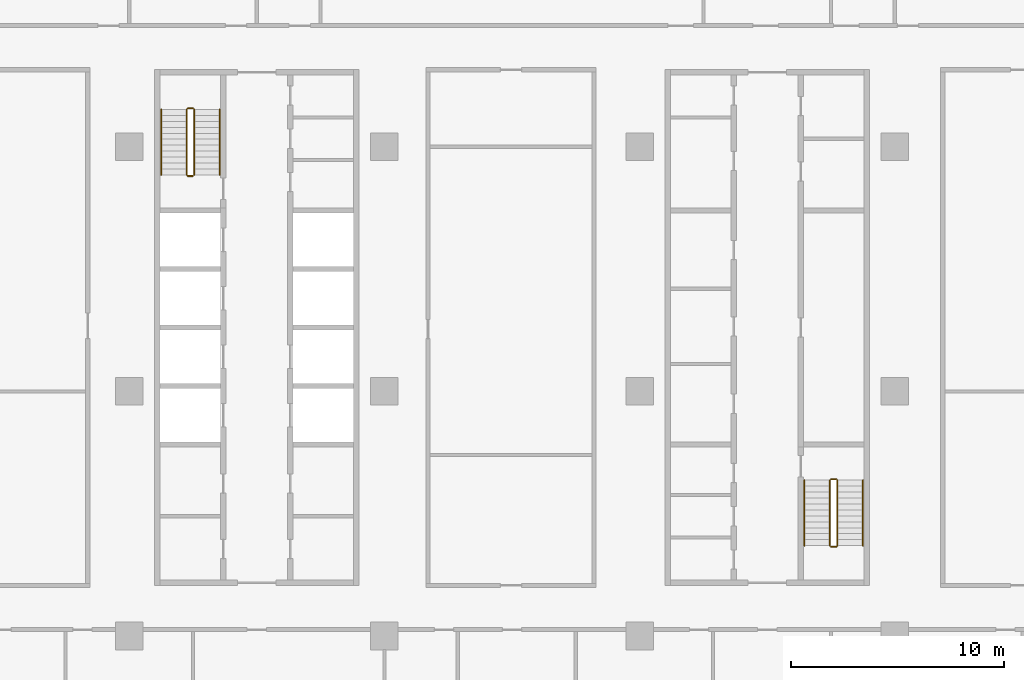
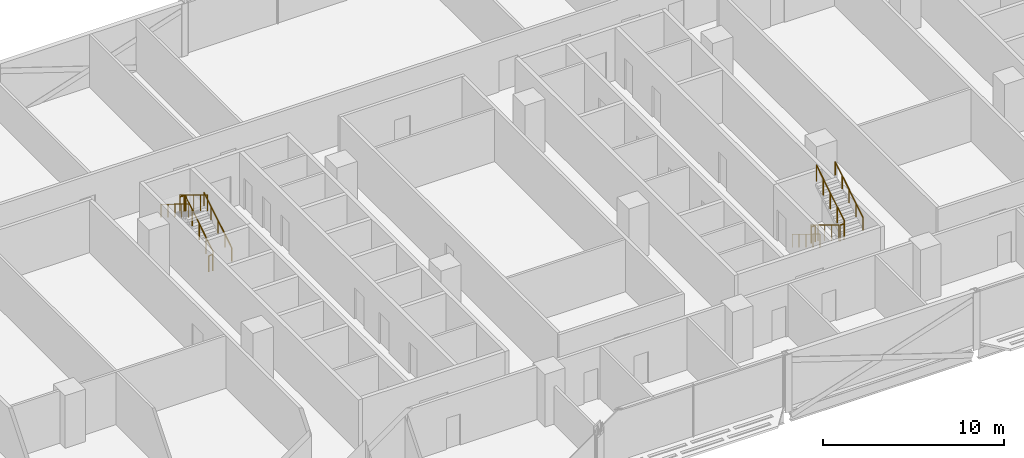
# One storey, part 26 of 29: 12 railings.
"""IFC4 building model written with IfcOpenShell, lengths in metres."""

from ifc_helpers import new_model, si_unit, direction, frame, origin, origin_2d, place, context, subcontext, project, spatial, circle, extrude, material, type_object, element, save


model = new_model("IFC4")

# Units and contexts
model_context = context("Model", 3, precision=1e-05, world=origin(), true_north=direction((0.0, 1.0)))
body_context = subcontext(model_context, "Body", "Model", "MODEL_VIEW")
ifc_project = project(units=[si_unit("LENGTHUNIT", "METRE"), si_unit("AREAUNIT", "SQUARE_METRE"), si_unit("VOLUMEUNIT", "CUBIC_METRE"), si_unit("PLANEANGLEUNIT", "RADIAN"), si_unit("MASSUNIT", "GRAM", prefix="KILO")], contexts=[model_context])

# Site, building, storey
site_placement = place(None, origin())
site = spatial("IfcSite", under=ifc_project, at=site_placement, CompositionType="ELEMENT")
building_placement = place(site_placement, origin())
building = spatial("IfcBuilding", under=site, at=building_placement, Name="Mahtab Terrace Research Tower", CompositionType="ELEMENT")
storey_placement = place(building_placement, frame((0.0, 0.0, 150.699951171875)))
storey = spatial("IfcBuildingStorey", under=building, at=storey_placement, Name="L35", CompositionType="ELEMENT", Elevation=150.699951171875)

# Railings
ifc_material = material(Name="Stainless steel AISI 304", Category="steel")
railing_type_1 = type_object("IfcRailingType", Name="Stair guard 1100", PredefinedType="GUARDRAIL", material=ifc_material)
railing_1_placement = place(storey_placement, frame((-26.949951171875, 10.175048828125, 0.1708984375)))
element("IfcRailing", 1, at=railing_1_placement, inside=storey, type_object=railing_type_1, Name="L35 ST1 stair guard 1", PredefinedType="GUARDRAIL", context=body_context, shape_type="SweptSolid", body=[
    extrude(circle(Radius=0.02392578125, at=origin_2d()), frame((0.0, 0.0, 1.076171875), z_axis=(0.0, 0.853647949592, 0.520850437417), x_axis=(-1.0, 0.0, 0.0)), (0.0, 0.0, 1.0), 3.60791015625),
    extrude(circle(Radius=0.02099609375, at=origin_2d()), origin(), (0.0, 0.0, 1.0), 1.052001953125),
    extrude(circle(Radius=0.02099609375, at=origin_2d()), frame((0.0, 0.77001953125, 0.4697265625)), (0.0, 0.0, 1.0), 1.052001953125),
    extrude(circle(Radius=0.02099609375, at=origin_2d()), frame((0.0, 1.5400390625, 0.939453125)), (0.0, 0.0, 1.0), 1.052001953125),
    extrude(circle(Radius=0.02099609375, at=origin_2d()), frame((0.0, 2.309814453125, 1.409423828125)), (0.0, 0.0, 1.0), 1.052001953125),
    extrude(circle(Radius=0.02099609375, at=origin_2d()), frame((0.0, 3.079833984375, 1.879150390625)), (0.0, 0.0, 1.0), 1.052001953125),
])
railing_2_placement = place(storey_placement, frame((-27.0, 13.304931640625, 2.050048828125)))
element("IfcRailing", 2, at=railing_2_placement, inside=storey, type_object=railing_type_1, Name="L35 ST1 stair guard 2", PredefinedType="GUARDRAIL", context=body_context, shape_type="SweptSolid", body=[
    extrude(circle(Radius=0.02392578125, at=origin_2d()), frame((0.0, 0.0, 1.076171875), z_axis=(-1.0, 0.0, 0.0), x_axis=(0.0, -1.0, 0.0)), (0.0, 0.0, 1.0), 0.25),
    extrude(circle(Radius=0.02099609375, at=origin_2d()), origin(), (0.0, 0.0, 1.0), 1.052001953125),
    extrude(circle(Radius=0.02099609375, at=origin_2d()), frame((-0.25, 0.0, 0.0)), (0.0, 0.0, 1.0), 1.052001953125),
])
railing_3_placement = place(storey_placement, frame((-27.300048828125, 13.2548828125, 2.220947265625)))
element("IfcRailing", 3, at=railing_3_placement, inside=storey, type_object=railing_type_1, Name="L35 ST1 stair guard 3", PredefinedType="GUARDRAIL", context=body_context, shape_type="SweptSolid", body=[
    extrude(circle(Radius=0.02392578125, at=origin_2d()), frame((0.0, 0.0, 1.076171875), z_axis=(0.0, -0.853647949592, 0.520850437417), x_axis=(1.0, 0.0, 0.0)), (0.0, 0.0, 1.0), 3.60791015625),
    extrude(circle(Radius=0.02099609375, at=origin_2d()), origin(), (0.0, 0.0, 1.0), 1.052001953125),
    extrude(circle(Radius=0.02099609375, at=origin_2d()), frame((0.0, -0.77001953125, 0.4697265625)), (0.0, 0.0, 1.0), 1.052001953125),
    extrude(circle(Radius=0.02099609375, at=origin_2d()), frame((0.0, -1.5400390625, 0.939453125)), (0.0, 0.0, 1.0), 1.052001953125),
    extrude(circle(Radius=0.02099609375, at=origin_2d()), frame((0.0, -2.309814453125, 1.409423828125)), (0.0, 0.0, 1.0), 1.052001953125),
    extrude(circle(Radius=0.02099609375, at=origin_2d()), frame((0.0, -3.079833984375, 1.879150390625)), (0.0, 0.0, 1.0), 1.052001953125),
])
railing_4_placement = place(storey_placement, frame((-27.0, 10.125, 0.0)))
element("IfcRailing", 4, at=railing_4_placement, inside=storey, type_object=railing_type_1, Name="L35 ST1 stair guard 4", PredefinedType="GUARDRAIL", context=body_context, shape_type="SweptSolid", body=[
    extrude(circle(Radius=0.02392578125, at=origin_2d()), frame((0.0, 0.0, 1.076171875), z_axis=(-1.0, 0.0, 0.0), x_axis=(0.0, -1.0, 0.0)), (0.0, 0.0, 1.0), 0.25),
    extrude(circle(Radius=0.02099609375, at=origin_2d()), origin(), (0.0, 0.0, 1.0), 1.052001953125),
    extrude(circle(Radius=0.02099609375, at=origin_2d()), frame((-0.25, 0.0, 0.0)), (0.0, 0.0, 1.0), 1.052001953125),
])
railing_5_placement = place(storey_placement, frame((2.949951171875, -4.175048828125, 0.1708984375)))
element("IfcRailing", 5, at=railing_5_placement, inside=storey, type_object=railing_type_1, Name="L35 ST2 stair guard 1", PredefinedType="GUARDRAIL", context=body_context, shape_type="SweptSolid", body=[
    extrude(circle(Radius=0.02392578125, at=origin_2d()), frame((0.0, 0.0, 1.076171875), z_axis=(0.0, -0.853647949592, 0.520850437417), x_axis=(1.0, 0.0, 0.0)), (0.0, 0.0, 1.0), 3.60791015625),
    extrude(circle(Radius=0.02099609375, at=origin_2d()), origin(), (0.0, 0.0, 1.0), 1.052001953125),
    extrude(circle(Radius=0.02099609375, at=origin_2d()), frame((0.0, -0.77001953125, 0.4697265625)), (0.0, 0.0, 1.0), 1.052001953125),
    extrude(circle(Radius=0.02099609375, at=origin_2d()), frame((0.0, -1.5400390625, 0.939453125)), (0.0, 0.0, 1.0), 1.052001953125),
    extrude(circle(Radius=0.02099609375, at=origin_2d()), frame((0.0, -2.309814453125, 1.409423828125)), (0.0, 0.0, 1.0), 1.052001953125),
    extrude(circle(Radius=0.02099609375, at=origin_2d()), frame((0.0, -3.079833984375, 1.879150390625)), (0.0, 0.0, 1.0), 1.052001953125),
])
railing_6_placement = place(storey_placement, frame((3.0, -7.304931640625, 2.050048828125)))
element("IfcRailing", 6, at=railing_6_placement, inside=storey, type_object=railing_type_1, Name="L35 ST2 stair guard 2", PredefinedType="GUARDRAIL", context=body_context, shape_type="SweptSolid", body=[
    extrude(circle(Radius=0.02392578125, at=origin_2d()), frame((0.0, 0.0, 1.076171875), z_axis=(1.0, 0.0, 0.0), x_axis=(0.0, 1.0, 0.0)), (0.0, 0.0, 1.0), 0.25),
    extrude(circle(Radius=0.02099609375, at=origin_2d()), origin(), (0.0, 0.0, 1.0), 1.052001953125),
    extrude(circle(Radius=0.02099609375, at=origin_2d()), frame((0.25, 0.0, 0.0)), (0.0, 0.0, 1.0), 1.052001953125),
])
railing_7_placement = place(storey_placement, frame((3.300048828125, -7.2548828125, 2.220947265625)))
element("IfcRailing", 7, at=railing_7_placement, inside=storey, type_object=railing_type_1, Name="L35 ST2 stair guard 3", PredefinedType="GUARDRAIL", context=body_context, shape_type="SweptSolid", body=[
    extrude(circle(Radius=0.02392578125, at=origin_2d()), frame((0.0, 0.0, 1.076171875), z_axis=(0.0, 0.853647949592, 0.520850437417), x_axis=(-1.0, 0.0, 0.0)), (0.0, 0.0, 1.0), 3.60791015625),
    extrude(circle(Radius=0.02099609375, at=origin_2d()), origin(), (0.0, 0.0, 1.0), 1.052001953125),
    extrude(circle(Radius=0.02099609375, at=origin_2d()), frame((0.0, 0.77001953125, 0.4697265625)), (0.0, 0.0, 1.0), 1.052001953125),
    extrude(circle(Radius=0.02099609375, at=origin_2d()), frame((0.0, 1.5400390625, 0.939453125)), (0.0, 0.0, 1.0), 1.052001953125),
    extrude(circle(Radius=0.02099609375, at=origin_2d()), frame((0.0, 2.309814453125, 1.409423828125)), (0.0, 0.0, 1.0), 1.052001953125),
    extrude(circle(Radius=0.02099609375, at=origin_2d()), frame((0.0, 3.079833984375, 1.879150390625)), (0.0, 0.0, 1.0), 1.052001953125),
])
railing_8_placement = place(storey_placement, frame((3.0, -4.125, 0.0)))
element("IfcRailing", 8, at=railing_8_placement, inside=storey, type_object=railing_type_1, Name="L35 ST2 stair guard 4", PredefinedType="GUARDRAIL", context=body_context, shape_type="SweptSolid", body=[
    extrude(circle(Radius=0.02392578125, at=origin_2d()), frame((0.0, 0.0, 1.076171875), z_axis=(1.0, 0.0, 0.0), x_axis=(0.0, 1.0, 0.0)), (0.0, 0.0, 1.0), 0.25),
    extrude(circle(Radius=0.02099609375, at=origin_2d()), origin(), (0.0, 0.0, 1.0), 1.052001953125),
    extrude(circle(Radius=0.02099609375, at=origin_2d()), frame((0.25, 0.0, 0.0)), (0.0, 0.0, 1.0), 1.052001953125),
])
railing_type_2 = type_object("IfcRailingType", Name="Stair handrail 900", PredefinedType="HANDRAIL", material=ifc_material)
railing_9_placement = place(storey_placement, frame((-25.75, 10.175048828125, 0.1708984375)))
element("IfcRailing", 9, at=railing_9_placement, inside=storey, type_object=railing_type_2, Name="L35 ST1 stair handrail 1", PredefinedType="HANDRAIL", context=body_context, shape_type="SweptSolid", body=[
    extrude(circle(Radius=0.02392578125, at=origin_2d()), frame((0.0, 0.0, 0.8759765625), z_axis=(0.0, 0.853647949592, 0.520850437417), x_axis=(-1.0, 0.0, 0.0)), (0.0, 0.0, 1.0), 3.60791015625),
    extrude(circle(Radius=0.02099609375, at=origin_2d()), origin(), (0.0, 0.0, 1.0), 0.851806640625),
    extrude(circle(Radius=0.02099609375, at=origin_2d()), frame((0.0, 0.77001953125, 0.4697265625)), (0.0, 0.0, 1.0), 0.851806640625),
    extrude(circle(Radius=0.02099609375, at=origin_2d()), frame((0.0, 1.5400390625, 0.939453125)), (0.0, 0.0, 1.0), 0.851806640625),
    extrude(circle(Radius=0.02099609375, at=origin_2d()), frame((0.0, 2.309814453125, 1.409423828125)), (0.0, 0.0, 1.0), 0.851806640625),
    extrude(circle(Radius=0.02099609375, at=origin_2d()), frame((0.0, 3.079833984375, 1.879150390625)), (0.0, 0.0, 1.0), 0.851806640625),
])
for number, where, name in (
    (10, (-28.5, 13.2548828125, 2.220947265625), "L35 ST1 stair handrail 2"),
    (11, (1.75, -4.175048828125, 0.1708984375), "L35 ST2 stair handrail 1"),
):
    element("IfcRailing", number, at=place(storey_placement, frame(where)), inside=storey, type_object=railing_type_2, Name=name, PredefinedType="HANDRAIL", context=body_context, shape_type="SweptSolid", body=[
        extrude(circle(Radius=0.02392578125, at=origin_2d()), frame((0.0, 0.0, 0.8759765625), z_axis=(0.0, -0.853647949592, 0.520850437417), x_axis=(1.0, 0.0, 0.0)), (0.0, 0.0, 1.0), 3.60791015625),
        extrude(circle(Radius=0.02099609375, at=origin_2d()), origin(), (0.0, 0.0, 1.0), 0.851806640625),
        extrude(circle(Radius=0.02099609375, at=origin_2d()), frame((0.0, -0.77001953125, 0.4697265625)), (0.0, 0.0, 1.0), 0.851806640625),
        extrude(circle(Radius=0.02099609375, at=origin_2d()), frame((0.0, -1.5400390625, 0.939453125)), (0.0, 0.0, 1.0), 0.851806640625),
        extrude(circle(Radius=0.02099609375, at=origin_2d()), frame((0.0, -2.309814453125, 1.409423828125)), (0.0, 0.0, 1.0), 0.851806640625),
        extrude(circle(Radius=0.02099609375, at=origin_2d()), frame((0.0, -3.079833984375, 1.879150390625)), (0.0, 0.0, 1.0), 0.851806640625),
    ])
railing_10_placement = place(storey_placement, frame((4.5, -7.2548828125, 2.220947265625)))
element("IfcRailing", 12, at=railing_10_placement, inside=storey, type_object=railing_type_2, Name="L35 ST2 stair handrail 2", PredefinedType="HANDRAIL", context=body_context, shape_type="SweptSolid", body=[
    extrude(circle(Radius=0.02392578125, at=origin_2d()), frame((0.0, 0.0, 0.8759765625), z_axis=(0.0, 0.853647949592, 0.520850437417), x_axis=(-1.0, 0.0, 0.0)), (0.0, 0.0, 1.0), 3.60791015625),
    extrude(circle(Radius=0.02099609375, at=origin_2d()), origin(), (0.0, 0.0, 1.0), 0.851806640625),
    extrude(circle(Radius=0.02099609375, at=origin_2d()), frame((0.0, 0.77001953125, 0.4697265625)), (0.0, 0.0, 1.0), 0.851806640625),
    extrude(circle(Radius=0.02099609375, at=origin_2d()), frame((0.0, 1.5400390625, 0.939453125)), (0.0, 0.0, 1.0), 0.851806640625),
    extrude(circle(Radius=0.02099609375, at=origin_2d()), frame((0.0, 2.309814453125, 1.409423828125)), (0.0, 0.0, 1.0), 0.851806640625),
    extrude(circle(Radius=0.02099609375, at=origin_2d()), frame((0.0, 3.079833984375, 1.879150390625)), (0.0, 0.0, 1.0), 0.851806640625),
])

save(model, "model.ifc")
